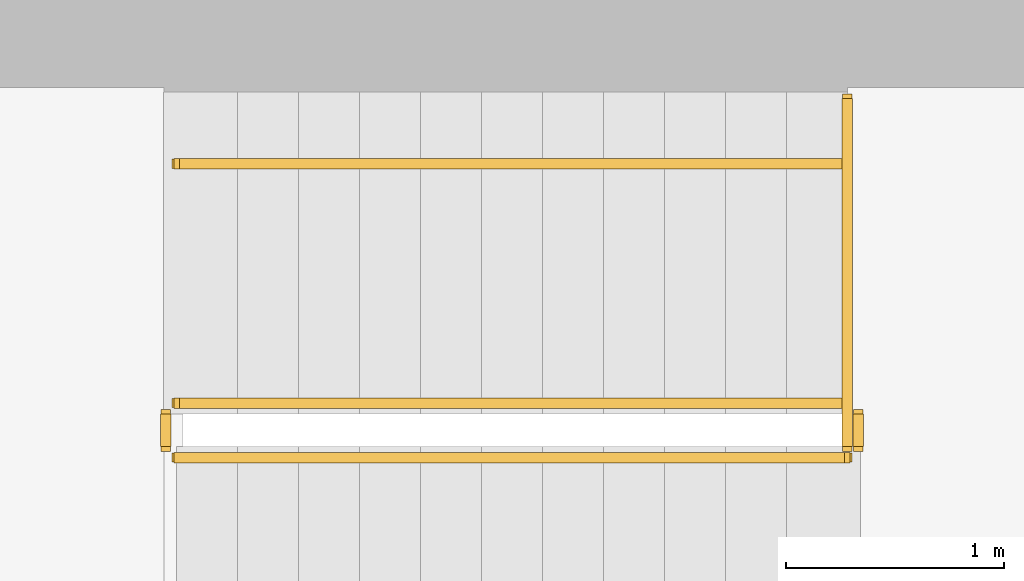
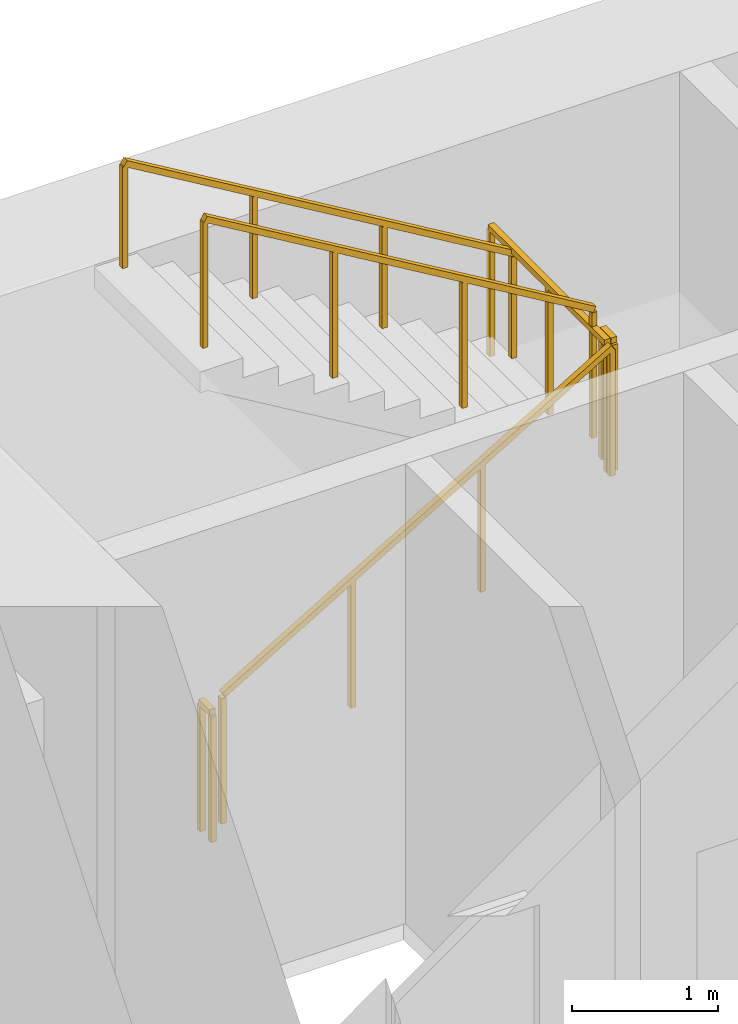
# One storey, part 15 of 16: 6 railings.
"""IFC4 building model written with IfcOpenShell, lengths in metres."""

from ifc_helpers import new_model, si_unit, direction, frame, origin, origin_2d, place, context, subcontext, project, spatial, rectangle, extrude, material, type_object, element, save


model = new_model("IFC4")

# Units and contexts
model_context = context("Model", 3, precision=1e-05, world=origin(), true_north=direction((0.0, 1.0)))
body_context = subcontext(model_context, "Body", "Model", "MODEL_VIEW")
ifc_project = project(units=[si_unit("LENGTHUNIT", "METRE"), si_unit("AREAUNIT", "SQUARE_METRE"), si_unit("VOLUMEUNIT", "CUBIC_METRE"), si_unit("PLANEANGLEUNIT", "RADIAN"), si_unit("MASSUNIT", "GRAM", prefix="KILO")], contexts=[model_context])

# Site, building, storey
site_placement = place(None, origin())
site = spatial("IfcSite", under=ifc_project, at=site_placement, CompositionType="ELEMENT")
building_placement = place(site_placement, origin())
building = spatial("IfcBuilding", under=site, at=building_placement, Name="Sennacour Bend Tower", CompositionType="ELEMENT")
storey_placement = place(building_placement, frame((0.0, 0.0, 159.0)))
storey = spatial("IfcBuildingStorey", under=building, at=storey_placement, Name="L36", CompositionType="ELEMENT", Elevation=159.0)

# Railings
ifc_material = material(Name="Stainless steel", Category="steel")
railing_type_1 = type_object("IfcRailingType", Name="RL-GUARD-1100", PredefinedType="GUARDRAIL", material=ifc_material)
railing_1_placement = place(storey_placement, frame((56.699951171875, 19.85009765625, 0.166748046875)))
element("IfcRailing", 1, at=railing_1_placement, inside=storey, type_object=railing_type_1, Name="L36 SA2 stair guard 1", PredefinedType="GUARDRAIL", context=body_context, shape_type="SweptSolid", body=[
    extrude(rectangle(XDim=0.048095703125, YDim=0.048095703125, at=origin_2d()), frame((0.0, 0.0, 1.076171875), z_axis=(0.859308565015, 0.0, 0.511457515432), x_axis=(0.0, 1.0, 0.0)), (0.0, 0.0, 1.0), 3.58447265625),
    extrude(rectangle(XDim=0.0419921875, YDim=0.0419921875, at=origin_2d()), origin(), (0.0, 0.0, 1.0), 1.052001953125),
    extrude(rectangle(XDim=0.0419921875, YDim=0.0419921875, at=origin_2d()), frame((1.026611328125, 0.0, 0.611083984375)), (0.0, 0.0, 1.0), 1.052001953125),
    extrude(rectangle(XDim=0.0419921875, YDim=0.0419921875, at=origin_2d()), frame((2.053466796875, 0.0, 1.22216796875)), (0.0, 0.0, 1.0), 1.052001953125),
    extrude(rectangle(XDim=0.0419921875, YDim=0.0419921875, at=origin_2d()), frame((3.080078125, 0.0, 1.833251953125)), (0.0, 0.0, 1.0), 1.052001953125),
])
railing_2_placement = place(storey_placement, frame((59.830078125, 19.89990234375, 2.0)))
element("IfcRailing", 2, at=railing_2_placement, inside=storey, type_object=railing_type_1, Name="L36 SA2 stair guard 2", PredefinedType="GUARDRAIL", context=body_context, shape_type="SweptSolid", body=[
    extrude(rectangle(XDim=0.048095703125, YDim=0.048095703125, at=origin_2d()), frame((0.0, 0.0, 1.076171875), z_axis=(0.0, 1.0, 0.0), x_axis=(-1.0, 0.0, 0.0)), (0.0, 0.0, 1.0), 0.150146484375),
    extrude(rectangle(XDim=0.0419921875, YDim=0.0419921875, at=origin_2d()), origin(), (0.0, 0.0, 1.0), 1.052001953125),
    extrude(rectangle(XDim=0.0419921875, YDim=0.0419921875, at=origin_2d()), frame((0.0, 0.150146484375, 0.0)), (0.0, 0.0, 1.0), 1.052001953125),
])
railing_3_placement = place(storey_placement, frame((59.780029296875, 20.10009765625, 2.166748046875)))
element("IfcRailing", 3, at=railing_3_placement, inside=storey, type_object=railing_type_1, Name="L36 SA2 stair guard 4", PredefinedType="GUARDRAIL", context=body_context, shape_type="SweptSolid", body=[
    extrude(rectangle(XDim=0.048095703125, YDim=0.048095703125, at=origin_2d()), frame((0.0, 0.0, 1.076171875), z_axis=(-0.859308565015, 0.0, 0.511457515432), x_axis=(0.0, -1.0, 0.0)), (0.0, 0.0, 1.0), 3.58447265625),
    extrude(rectangle(XDim=0.0419921875, YDim=0.0419921875, at=origin_2d()), origin(), (0.0, 0.0, 1.0), 1.052001953125),
    extrude(rectangle(XDim=0.0419921875, YDim=0.0419921875, at=origin_2d()), frame((-1.026611328125, 0.0, 0.611083984375)), (0.0, 0.0, 1.0), 1.052001953125),
    extrude(rectangle(XDim=0.0419921875, YDim=0.0419921875, at=origin_2d()), frame((-2.053466796875, 0.0, 1.22216796875)), (0.0, 0.0, 1.0), 1.052001953125),
    extrude(rectangle(XDim=0.0419921875, YDim=0.0419921875, at=origin_2d()), frame((-3.080078125, 0.0, 1.833251953125)), (0.0, 0.0, 1.0), 1.052001953125),
])
railing_4_placement = place(storey_placement, frame((56.64990234375, 19.89990234375, 0.0)))
element("IfcRailing", 4, at=railing_4_placement, inside=storey, type_object=railing_type_1, Name="L36 SA2 stair guard 5", PredefinedType="GUARDRAIL", context=body_context, shape_type="SweptSolid", body=[
    extrude(rectangle(XDim=0.048095703125, YDim=0.048095703125, at=origin_2d()), frame((0.0, 0.0, 1.076171875), z_axis=(0.0, 1.0, 0.0), x_axis=(-1.0, 0.0, 0.0)), (0.0, 0.0, 1.0), 0.150146484375),
    extrude(rectangle(XDim=0.0419921875, YDim=0.0419921875, at=origin_2d()), origin(), (0.0, 0.0, 1.0), 1.052001953125),
    extrude(rectangle(XDim=0.0419921875, YDim=0.0419921875, at=origin_2d()), frame((0.0, 0.150146484375, 0.0)), (0.0, 0.0, 1.0), 1.052001953125),
])
railing_5_placement = place(storey_placement, frame((59.780029296875, 19.89990234375, 2.0)))
element("IfcRailing", 5, at=railing_5_placement, inside=storey, type_object=railing_type_1, Name="L36 SA2 landing edge guard 51", PredefinedType="GUARDRAIL", context=body_context, shape_type="SweptSolid", body=[
    extrude(rectangle(XDim=0.048095703125, YDim=0.048095703125, at=origin_2d()), frame((0.0, 0.0, 1.076171875), z_axis=(0.0, 1.0, 0.0), x_axis=(-1.0, 0.0, 0.0)), (0.0, 0.0, 1.0), 1.60009765625),
    extrude(rectangle(XDim=0.0419921875, YDim=0.0419921875, at=origin_2d()), origin(), (0.0, 0.0, 1.0), 1.052001953125),
    extrude(rectangle(XDim=0.0419921875, YDim=0.0419921875, at=origin_2d()), frame((0.0, 0.800048828125, 0.0)), (0.0, 0.0, 1.0), 1.052001953125),
    extrude(rectangle(XDim=0.0419921875, YDim=0.0419921875, at=origin_2d()), frame((0.0, 1.60009765625, 0.0)), (0.0, 0.0, 1.0), 1.052001953125),
])
railing_type_2 = type_object("IfcRailingType", Name="RL-HANDRAIL-900", PredefinedType="HANDRAIL", material=ifc_material)
railing_6_placement = place(storey_placement, frame((59.780029296875, 21.199951171875, 2.166748046875)))
element("IfcRailing", 6, at=railing_6_placement, inside=storey, type_object=railing_type_2, Name="L36 SA2 stair handrail 2", PredefinedType="HANDRAIL", context=body_context, shape_type="SweptSolid", body=[
    extrude(rectangle(XDim=0.048095703125, YDim=0.048095703125, at=origin_2d()), frame((0.0, 0.0, 0.8759765625), z_axis=(-0.859308565015, 0.0, 0.511457515432), x_axis=(0.0, -1.0, 0.0)), (0.0, 0.0, 1.0), 3.58447265625),
    extrude(rectangle(XDim=0.0419921875, YDim=0.0419921875, at=origin_2d()), origin(), (0.0, 0.0, 1.0), 0.851806640625),
    extrude(rectangle(XDim=0.0419921875, YDim=0.0419921875, at=origin_2d()), frame((-1.026611328125, 0.0, 0.611083984375)), (0.0, 0.0, 1.0), 0.851806640625),
    extrude(rectangle(XDim=0.0419921875, YDim=0.0419921875, at=origin_2d()), frame((-2.053466796875, 0.0, 1.22216796875)), (0.0, 0.0, 1.0), 0.851806640625),
    extrude(rectangle(XDim=0.0419921875, YDim=0.0419921875, at=origin_2d()), frame((-3.080078125, 0.0, 1.833251953125)), (0.0, 0.0, 1.0), 0.851806640625),
])

save(model, "model.ifc")
